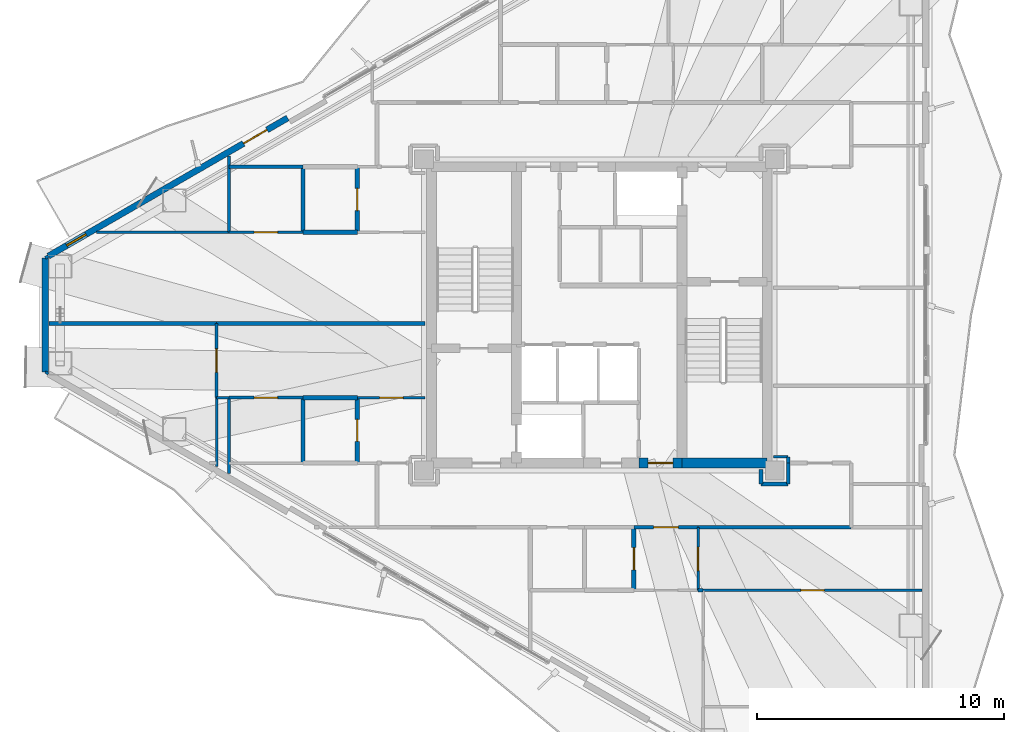
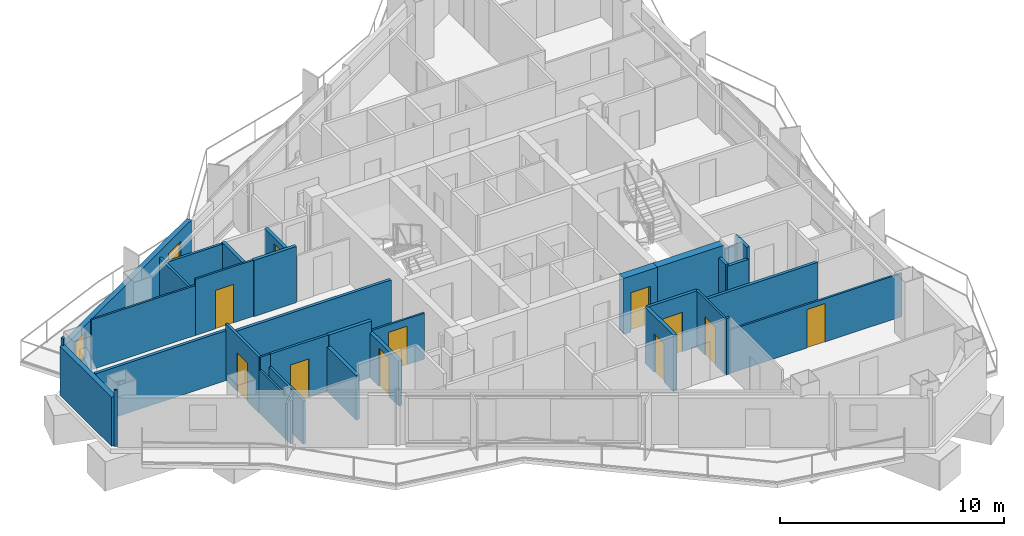
# One storey, part 15 of 21: 35 walls, 12 doors, 1 window, 13 openings.
"""IFC4 building model written with IfcOpenShell, lengths in metres."""

from ifc_helpers import new_model, si_unit, direction, frame, frame_2d, origin, place, context, subcontext, project, spatial, rectangle, extrude, material, layer, layer_set, type_object, element, fill, save


model = new_model("IFC4")

# Units and contexts
model_context = context("Model", 3, precision=1e-05, world=origin(), true_north=direction((0.0, 1.0)))
body_context = subcontext(model_context, "Body", "Model", "MODEL_VIEW")
ifc_project = project(units=[si_unit("LENGTHUNIT", "METRE"), si_unit("AREAUNIT", "SQUARE_METRE"), si_unit("VOLUMEUNIT", "CUBIC_METRE"), si_unit("PLANEANGLEUNIT", "RADIAN"), si_unit("MASSUNIT", "GRAM", prefix="KILO")], contexts=[model_context])

# Site, building, storey
site_placement = place(None, origin())
site = spatial("IfcSite", under=ifc_project, at=site_placement, CompositionType="ELEMENT")
building_placement = place(site_placement, origin())
building = spatial("IfcBuilding", under=site, at=building_placement, Name="Mersakhor Tower and Convention Hall", CompositionType="ELEMENT")
storey_placement = place(building_placement, frame((0.0, 0.0, 121.199951171875)))
storey = spatial("IfcBuildingStorey", under=building, at=storey_placement, Name="L33", CompositionType="ELEMENT", Elevation=121.199951171875)

# Wall
ifc_material_1 = material(Name="Precast concrete C40/50", Category="concrete")
ifc_layer_1 = layer(ifc_material_1, 0.25)
ifc_layer_set_1 = layer_set([ifc_layer_1], Name="Precast concrete C40/50")
wall_type_1 = type_object("IfcWallType", Name="WL-EXT-250", PredefinedType="SOLIDWALL", material=ifc_layer_set_1)
wall_1_placement = place(storey_placement, frame((6.560302734375, 24.44140625, 0.0), z_axis=(0.0, 0.0, 1.0), x_axis=(0.0, 1.0, 0.0)))
element("IfcWall", 1, at=wall_1_placement, inside=storey, type_object=wall_type_1, Name="L33 Chamfer Braced Spandrel Wall C3", PredefinedType="SOLIDWALL", context=body_context, shape_type="SweptSolid", body=[
    extrude(rectangle(XDim=4.6171875, YDim=0.25, at=frame_2d((2.30859375, 0.0))), origin(), (0.0, 0.0, 1.0), 2.679931640625),
])

# Wall, openings, door, window
wall_2_placement = place(storey_placement, frame((6.690185546875, 29.1337890625, 0.0), z_axis=(0.0, 0.0, 1.0), x_axis=(0.866027848477, 0.499995765644, 0.0)))
wall_2 = element("IfcWall", 2, at=wall_2_placement, inside=storey, type_object=wall_type_1, Name="L33 Exterior Facade Wall F1-B1", PredefinedType="SOLIDWALL", context=body_context, shape_type="SweptSolid", body=[
    extrude(rectangle(XDim=11.18603515625, YDim=0.25, at=frame_2d((5.593017578125, 0.0))), origin(), (0.0, 0.0, 1.0), 2.679931640625),
])
opening_1_placement = place(wall_2_placement, frame((9.1220703125, 0.0, 0.0)))
opening_1 = element("IfcOpeningElement", 3, at=opening_1_placement, cuts=wall_2, Name="Opening BD-02", PredefinedType="OPENING", context=body_context, shape_type="SweptSolid", body=[
    extrude(rectangle(XDim=1.10009765625, YDim=2.10009765625, at=frame_2d((0.550048828125, 1.050048828125))), frame((0.0, 0.135009765625, 0.0), z_axis=(0.0, -1.0, 0.0), x_axis=(1.0, 0.0, 0.0)), (0.0, 0.0, 1.0), 0.27001953125),
])
opening_2_placement = place(wall_2_placement, frame((0.860107421875, 0.0, 0.89990234375)))
opening_2 = element("IfcOpeningElement", 4, at=opening_2_placement, cuts=wall_2, Name="Opening W-06", PredefinedType="OPENING", context=body_context, shape_type="SweptSolid", body=[
    extrude(rectangle(XDim=0.89990234375, YDim=1.39990234375, at=frame_2d((0.449951171875, 0.699951171875))), frame((0.0, 0.135009765625, 0.0), z_axis=(0.0, -1.0, 0.0), x_axis=(1.0, 0.0, 0.0)), (0.0, 0.0, 1.0), 0.27001953125),
])
ifc_material_2 = material(Name="Thermally broken dark aluminium and safety glass", Category="aluminium")
door_type_1 = type_object("IfcDoorType", Name="DR-BAL-110x210", OperationType="NOTDEFINED", PredefinedType="DOOR", material=ifc_material_2)
door_1_placement = place(opening_1_placement, origin())
door_1 = element("IfcDoor", 5, at=door_1_placement, inside=storey, type_object=door_type_1, Name="L33 Balcony Terrace Door F1-B1", OperationType="SINGLE_SWING_RIGHT", OverallHeight=2.10009765625, OverallWidth=1.10009765625, PredefinedType="DOOR", context=body_context, shape_type="SweptSolid", body=[
    extrude(rectangle(XDim=1.10009765625, YDim=2.10009765625, at=frame_2d((0.550048828125, 1.050048828125))), frame((0.0, 0.02490234375, 0.0), z_axis=(0.0, -1.0, 0.0), x_axis=(1.0, 0.0, 0.0)), (0.0, 0.0, 1.0), 0.050048828125),
])
fill(opening_1, door_1)
ifc_material_3 = material(Name="Dark solar low-E glazed aluminium window", Category="aluminium")
window_type = type_object("IfcWindowType", Name="WN-STD-090x140", PartitioningType="SINGLE_PANEL", PredefinedType="WINDOW", material=ifc_material_3)
window_placement = place(opening_2_placement, origin())
window = element("IfcWindow", 6, at=window_placement, inside=storey, type_object=window_type, Name="L33 Bedroom Facade Window F1-B1-1", OverallHeight=1.39990234375, OverallWidth=0.89990234375, PartitioningType="SINGLE_PANEL", PredefinedType="WINDOW", context=body_context, shape_type="SweptSolid", body=[
    extrude(rectangle(XDim=0.89990234375, YDim=1.39990234375, at=frame_2d((0.449951171875, 0.699951171875))), frame((0.0, 0.030029296875, 0.0), z_axis=(0.0, -1.0, 0.0), x_axis=(1.0, 0.0, 0.0)), (0.0, 0.0, 1.0), 0.06005859375),
])
fill(opening_2, window)

# Wall, opening, door
ifc_material_4 = material(Name="Moisture-resistant acoustic drywall studwork", Category="other")
ifc_layer_2 = layer(ifc_material_4, 0.175048828125)
ifc_layer_set_2 = layer_set([ifc_layer_2], Name="Moisture-resistant acoustic drywall studwork")
wall_type_2 = type_object("IfcWallType", Name="WL-PLM-175", PredefinedType="PLUMBINGWALL", material=ifc_layer_set_2)
wall_3_placement = place(storey_placement, frame((30.39990234375, 15.60009765625, 0.0), z_axis=(0.0, 0.0, 1.0), x_axis=(0.0, 1.0, 0.0)))
wall_3 = element("IfcWall", 7, at=wall_3_placement, inside=storey, type_object=wall_type_2, Name="L33 Interior Partition Wall P-057", PredefinedType="PLUMBINGWALL", context=body_context, shape_type="SweptSolid", body=[
    extrude(rectangle(XDim=2.5498046875, YDim=0.175048828125, at=frame_2d((1.27490234375, 0.0))), origin(), (0.0, 0.0, 1.0), 3.06005859375),
])
opening_3_placement = place(wall_3_placement, frame((0.824951171875, 0.0, 0.0)))
opening_3 = element("IfcOpeningElement", 8, at=opening_3_placement, cuts=wall_3, Name="Opening WD-01", PredefinedType="OPENING", context=body_context, shape_type="SweptSolid", body=[
    extrude(rectangle(XDim=0.89990234375, YDim=2.10009765625, at=frame_2d((0.449951171875, 1.050048828125))), frame((0.0, 0.097412109375, 0.0), z_axis=(0.0, -1.0, 0.0), x_axis=(1.0, 0.0, 0.0)), (0.0, 0.0, 1.0), 0.195068359375),
])
ifc_material_5 = material(Name="Solid-core hardwood leaf in painted steel frame", Category="steel")
door_type_2 = type_object("IfcDoorType", Name="DR-INT-WET-090x210", OperationType="NOTDEFINED", PredefinedType="DOOR", material=ifc_material_5)
door_2_placement = place(opening_3_placement, origin())
door_2 = element("IfcDoor", 9, at=door_2_placement, inside=storey, type_object=door_type_2, Name="L33 L33 Flat S2 Apartment Hall to L33 Flat S2 Bathroom Door", OperationType="SINGLE_SWING_LEFT", OverallHeight=2.10009765625, OverallWidth=0.89990234375, PredefinedType="DOOR", context=body_context, shape_type="SweptSolid", body=[
    extrude(rectangle(XDim=0.89990234375, YDim=2.10009765625, at=frame_2d((0.449951171875, 1.050048828125))), frame((0.0, 0.02490234375, 0.0), z_axis=(0.0, -1.0, 0.0), x_axis=(1.0, 0.0, 0.0)), (0.0, 0.0, 1.0), 0.050048828125),
])
fill(opening_3, door_2)

wall_4_placement = place(storey_placement, frame((19.199951171875, 30.10009765625, 0.0), z_axis=(0.0, 0.0, 1.0), x_axis=(0.0, 1.0, 0.0)))
wall_4 = element("IfcWall", 10, at=wall_4_placement, inside=storey, type_object=wall_type_2, Name="L33 Interior Partition Wall P-061", PredefinedType="PLUMBINGWALL", context=body_context, shape_type="SweptSolid", body=[
    extrude(rectangle(XDim=2.64990234375, YDim=0.175048828125, at=frame_2d((1.324951171875, 0.0))), origin(), (0.0, 0.0, 1.0), 2.432861328125),
])
opening_4_placement = place(wall_4_placement, frame((0.875, 0.0, 0.0)))
opening_4 = element("IfcOpeningElement", 11, at=opening_4_placement, cuts=wall_4, Name="Opening WD-01", PredefinedType="OPENING", context=body_context, shape_type="SweptSolid", body=[
    extrude(rectangle(XDim=0.89990234375, YDim=2.10009765625, at=frame_2d((0.449951171875, 1.050048828125))), frame((0.0, 0.097412109375, 0.0), z_axis=(0.0, -1.0, 0.0), x_axis=(1.0, 0.0, 0.0)), (0.0, 0.0, 1.0), 0.195068359375),
])
door_3_placement = place(opening_4_placement, origin())
door_3 = element("IfcDoor", 12, at=door_3_placement, inside=storey, type_object=door_type_2, Name="L33 L33 Flat W3 Apartment Hall to L33 Flat W3 Bathroom Door", OperationType="SINGLE_SWING_RIGHT", OverallHeight=2.10009765625, OverallWidth=0.89990234375, PredefinedType="DOOR", context=body_context, shape_type="SweptSolid", body=[
    extrude(rectangle(XDim=0.89990234375, YDim=2.10009765625, at=frame_2d((0.449951171875, 1.050048828125))), frame((0.0, 0.02490234375, 0.0), z_axis=(0.0, -1.0, 0.0), x_axis=(1.0, 0.0, 0.0)), (0.0, 0.0, 1.0), 0.050048828125),
])
fill(opening_4, door_3)

wall_5_placement = place(storey_placement, frame((19.199951171875, 20.75, 0.0), z_axis=(0.0, 0.0, 1.0), x_axis=(0.0, 1.0, 0.0)))
wall_5 = element("IfcWall", 13, at=wall_5_placement, inside=storey, type_object=wall_type_2, Name="L33 Interior Partition Wall P-065", PredefinedType="PLUMBINGWALL", context=body_context, shape_type="SweptSolid", body=[
    extrude(rectangle(XDim=2.64990234375, YDim=0.175048828125, at=frame_2d((1.324951171875, 0.0))), origin(), (0.0, 0.0, 1.0), 2.432861328125),
])
opening_5_placement = place(wall_5_placement, frame((0.875, 0.0, 0.0)))
opening_5 = element("IfcOpeningElement", 14, at=opening_5_placement, cuts=wall_5, Name="Opening WD-01", PredefinedType="OPENING", context=body_context, shape_type="SweptSolid", body=[
    extrude(rectangle(XDim=0.89990234375, YDim=2.10009765625, at=frame_2d((0.449951171875, 1.050048828125))), frame((0.0, 0.097412109375, 0.0), z_axis=(0.0, -1.0, 0.0), x_axis=(1.0, 0.0, 0.0)), (0.0, 0.0, 1.0), 0.195068359375),
])
door_4_placement = place(opening_5_placement, origin())
door_4 = element("IfcDoor", 15, at=door_4_placement, inside=storey, type_object=door_type_2, Name="L33 L33 Flat W4 Apartment Hall to L33 Flat W4 Bathroom Door", OperationType="SINGLE_SWING_RIGHT", OverallHeight=2.10009765625, OverallWidth=0.89990234375, PredefinedType="DOOR", context=body_context, shape_type="SweptSolid", body=[
    extrude(rectangle(XDim=0.89990234375, YDim=2.10009765625, at=frame_2d((0.449951171875, 1.050048828125))), frame((0.0, 0.02490234375, 0.0), z_axis=(0.0, -1.0, 0.0), x_axis=(1.0, 0.0, 0.0)), (0.0, 0.0, 1.0), 0.050048828125),
])
fill(opening_5, door_4)

# Walls
wall_6_placement = place(storey_placement, frame((19.199951171875, 30.10009765625, 0.0), z_axis=(0.0, 0.0, 1.0), x_axis=(-1.0, 0.0, 0.0)))
element("IfcWall", 16, at=wall_6_placement, inside=storey, type_object=wall_type_2, Name="L33 Interior Partition Wall P-083", PredefinedType="PLUMBINGWALL", context=body_context, shape_type="SweptSolid", body=[
    extrude(rectangle(XDim=2.199951171875, YDim=0.175048828125, at=frame_2d((1.10009765625, 0.0))), origin(), (0.0, 0.0, 1.0), 3.06005859375),
])
wall_7_placement = place(storey_placement, frame((17.0, 30.10009765625, 0.0), z_axis=(0.0, 0.0, 1.0), x_axis=(0.0, 1.0, 0.0)))
element("IfcWall", 17, at=wall_7_placement, inside=storey, type_object=wall_type_2, Name="L33 Interior Partition Wall P-084", PredefinedType="PLUMBINGWALL", context=body_context, shape_type="SweptSolid", body=[
    extrude(rectangle(XDim=2.64990234375, YDim=0.175048828125, at=frame_2d((1.324951171875, 0.0))), origin(), (0.0, 0.0, 1.0), 2.432861328125),
])
wall_8_placement = place(storey_placement, frame((17.0, 23.39990234375, 0.0), z_axis=(0.0, 0.0, 1.0), x_axis=(1.0, 0.0, 0.0)))
element("IfcWall", 18, at=wall_8_placement, inside=storey, type_object=wall_type_2, Name="L33 Interior Partition Wall P-088", PredefinedType="PLUMBINGWALL", context=body_context, shape_type="SweptSolid", body=[
    extrude(rectangle(XDim=2.199951171875, YDim=0.175048828125, at=frame_2d((1.10009765625, 0.0))), origin(), (0.0, 0.0, 1.0), 3.06005859375),
])
wall_9_placement = place(storey_placement, frame((17.0, 20.75, 0.0), z_axis=(0.0, 0.0, 1.0), x_axis=(0.0, 1.0, 0.0)))
element("IfcWall", 19, at=wall_9_placement, inside=storey, type_object=wall_type_2, Name="L33 Interior Partition Wall P-090", PredefinedType="PLUMBINGWALL", context=body_context, shape_type="SweptSolid", body=[
    extrude(rectangle(XDim=2.64990234375, YDim=0.175048828125, at=frame_2d((1.324951171875, 0.0))), origin(), (0.0, 0.0, 1.0), 2.432861328125),
])

# Wall, opening, door
ifc_material_6 = material(Name="Lightweight gypsum partition", Category="other")
ifc_layer_3 = layer(ifc_material_6, 0.10009765625)
ifc_layer_set_3 = layer_set([ifc_layer_3], Name="Lightweight gypsum partition")
wall_type_3 = type_object("IfcWallType", Name="WL-PRT-100", PredefinedType="PARTITIONING", material=ifc_layer_set_3)
wall_10_placement = place(storey_placement, frame((33.0, 18.14990234375, 0.0), z_axis=(0.0, 0.0, 1.0), x_axis=(0.0, -1.0, 0.0)))
wall_10 = element("IfcWall", 20, at=wall_10_placement, inside=storey, type_object=wall_type_3, Name="L33 Interior Partition Wall P-058", PredefinedType="PARTITIONING", context=body_context, shape_type="SweptSolid", body=[
    extrude(rectangle(XDim=2.5498046875, YDim=0.10009765625, at=frame_2d((1.27490234375, 0.0))), origin(), (0.0, 0.0, 1.0), 3.06005859375),
])
opening_6_placement = place(wall_10_placement, frame((0.800048828125, 0.0, 0.0)))
opening_6 = element("IfcOpeningElement", 21, at=opening_6_placement, cuts=wall_10, Name="Opening RD-01", PredefinedType="OPENING", context=body_context, shape_type="SweptSolid", body=[
    extrude(rectangle(XDim=0.949951171875, YDim=2.10009765625, at=frame_2d((0.47509765625, 1.050048828125))), frame((0.0, 0.06005859375, 0.0), z_axis=(0.0, -1.0, 0.0), x_axis=(1.0, 0.0, 0.0)), (0.0, 0.0, 1.0), 0.1201171875),
])
ifc_material_7 = material(Name="Solid-core hardwood leaf in painted steel frame", Category="steel")
door_type_3 = type_object("IfcDoorType", Name="DR-INT-RM-095x210", OperationType="NOTDEFINED", PredefinedType="DOOR", material=ifc_material_7)
door_5_placement = place(opening_6_placement, origin())
door_5 = element("IfcDoor", 22, at=door_5_placement, inside=storey, type_object=door_type_3, Name="L33 L33 Flat S2 Apartment Hall to L33 Flat S2 Kitchen Door", OperationType="SINGLE_SWING_RIGHT", OverallHeight=2.10009765625, OverallWidth=0.949951171875, PredefinedType="DOOR", context=body_context, shape_type="SweptSolid", body=[
    extrude(rectangle(XDim=0.949951171875, YDim=2.10009765625, at=frame_2d((0.47509765625, 1.050048828125))), frame((0.0, 0.02490234375, 0.0), z_axis=(0.0, -1.0, 0.0), x_axis=(1.0, 0.0, 0.0)), (0.0, 0.0, 1.0), 0.050048828125),
])
fill(opening_6, door_5)

wall_11_placement = place(storey_placement, frame((19.199951171875, 23.39990234375, 0.0), z_axis=(0.0, 0.0, 1.0), x_axis=(1.0, 0.0, 0.0)))
wall_11 = element("IfcWall", 23, at=wall_11_placement, inside=storey, type_object=wall_type_3, Name="L33 Interior Partition Wall P-066", PredefinedType="PARTITIONING", context=body_context, shape_type="SweptSolid", body=[
    extrude(rectangle(XDim=2.75, YDim=0.10009765625, at=frame_2d((1.375, 0.0))), origin(), (0.0, 0.0, 1.0), 2.50830078125),
])
opening_7_placement = place(wall_11_placement, frame((0.89990234375, 0.0, 0.0)))
opening_7 = element("IfcOpeningElement", 24, at=opening_7_placement, cuts=wall_11, Name="Opening RD-01", PredefinedType="OPENING", context=body_context, shape_type="SweptSolid", body=[
    extrude(rectangle(XDim=0.949951171875, YDim=2.10009765625, at=frame_2d((0.47509765625, 1.050048828125))), frame((0.0, 0.06005859375, 0.0), z_axis=(0.0, -1.0, 0.0), x_axis=(1.0, 0.0, 0.0)), (0.0, 0.0, 1.0), 0.1201171875),
])
door_6_placement = place(opening_7_placement, origin())
door_6 = element("IfcDoor", 25, at=door_6_placement, inside=storey, type_object=door_type_3, Name="L33 L33 Flat W4 Apartment Hall to L33 Flat W4 Living and Dining Room Door", OperationType="SINGLE_SWING_LEFT", OverallHeight=2.10009765625, OverallWidth=0.949951171875, PredefinedType="DOOR", context=body_context, shape_type="SweptSolid", body=[
    extrude(rectangle(XDim=0.949951171875, YDim=2.10009765625, at=frame_2d((0.47509765625, 1.050048828125))), frame((0.0, 0.02490234375, 0.0), z_axis=(0.0, -1.0, 0.0), x_axis=(1.0, 0.0, 0.0)), (0.0, 0.0, 1.0), 0.050048828125),
])
fill(opening_7, door_6)

wall_12_placement = place(storey_placement, frame((42.0703125, 15.60009765625, 0.0), z_axis=(0.0, 0.0, 1.0), x_axis=(-1.0, 0.0, 0.0)))
wall_12 = element("IfcWall", 26, at=wall_12_placement, inside=storey, type_object=wall_type_3, Name="L33 Interior Partition Wall P-080", PredefinedType="PARTITIONING", context=body_context, shape_type="SweptSolid", body=[
    extrude(rectangle(XDim=8.870361328125, YDim=0.10009765625, at=frame_2d((4.43505859375, 0.0))), origin(), (0.0, 0.0, 1.0), 2.364990234375),
])
opening_8_placement = place(wall_12_placement, frame((3.960205078125, 0.0, 0.0)))
opening_8 = element("IfcOpeningElement", 27, at=opening_8_placement, cuts=wall_12, Name="Opening RD-01", PredefinedType="OPENING", context=body_context, shape_type="SweptSolid", body=[
    extrude(rectangle(XDim=0.949951171875, YDim=2.10009765625, at=frame_2d((0.47509765625, 1.050048828125))), frame((0.0, 0.06005859375, 0.0), z_axis=(0.0, -1.0, 0.0), x_axis=(1.0, 0.0, 0.0)), (0.0, 0.0, 1.0), 0.1201171875),
])
door_7_placement = place(opening_8_placement, origin())
door_7 = element("IfcDoor", 28, at=door_7_placement, inside=storey, type_object=door_type_3, Name="L33 L33 Flat S2 Kitchen to L33 Flat S2 Dining Room Door", OperationType="SINGLE_SWING_RIGHT", OverallHeight=2.10009765625, OverallWidth=0.949951171875, PredefinedType="DOOR", context=body_context, shape_type="SweptSolid", body=[
    extrude(rectangle(XDim=0.949951171875, YDim=2.10009765625, at=frame_2d((0.47509765625, 1.050048828125))), frame((0.0, 0.02490234375, 0.0), z_axis=(0.0, -1.0, 0.0), x_axis=(1.0, 0.0, 0.0)), (0.0, 0.0, 1.0), 0.050048828125),
])
fill(opening_8, door_7)

wall_13_placement = place(storey_placement, frame((17.0, 30.10009765625, 0.0), z_axis=(0.0, 0.0, 1.0), x_axis=(-1.0, 0.0, 0.0)))
wall_13 = element("IfcWall", 29, at=wall_13_placement, inside=storey, type_object=wall_type_3, Name="L33 Interior Partition Wall P-086", PredefinedType="PARTITIONING", context=body_context, shape_type="SweptSolid", body=[
    extrude(rectangle(XDim=3.0, YDim=0.10009765625, at=frame_2d((1.5, 0.0))), origin(), (0.0, 0.0, 1.0), 3.06005859375),
])
opening_9_placement = place(wall_13_placement, frame((1.02490234375, 0.0, 0.0)))
opening_9 = element("IfcOpeningElement", 30, at=opening_9_placement, cuts=wall_13, Name="Opening RD-01", PredefinedType="OPENING", context=body_context, shape_type="SweptSolid", body=[
    extrude(rectangle(XDim=0.949951171875, YDim=2.10009765625, at=frame_2d((0.47509765625, 1.050048828125))), frame((0.0, 0.06005859375, 0.0), z_axis=(0.0, -1.0, 0.0), x_axis=(1.0, 0.0, 0.0)), (0.0, 0.0, 1.0), 0.1201171875),
])
door_8_placement = place(opening_9_placement, origin())
door_8 = element("IfcDoor", 31, at=door_8_placement, inside=storey, type_object=door_type_3, Name="L33 L33 Flat W3 Kitchen to L33 Flat W3 Studio Living and Sleeping Room Door", OperationType="SINGLE_SWING_LEFT", OverallHeight=2.10009765625, OverallWidth=0.949951171875, PredefinedType="DOOR", context=body_context, shape_type="SweptSolid", body=[
    extrude(rectangle(XDim=0.949951171875, YDim=2.10009765625, at=frame_2d((0.47509765625, 1.050048828125))), frame((0.0, 0.02490234375, 0.0), z_axis=(0.0, -1.0, 0.0), x_axis=(1.0, 0.0, 0.0)), (0.0, 0.0, 1.0), 0.050048828125),
])
fill(opening_9, door_8)

# Walls
wall_14_placement = place(storey_placement, frame((36.64990234375, 21.0, 0.0), z_axis=(0.0, 0.0, 1.0), x_axis=(-1.0, 0.0, 0.0)))
element("IfcWall", 32, at=wall_14_placement, inside=storey, type_object=wall_type_3, Name="L33 Interior Partition Wall P-106", PredefinedType="PARTITIONING", context=body_context, shape_type="SweptSolid", body=[
    extrude(rectangle(XDim=0.599853515625, YDim=0.10009765625, at=frame_2d((0.2998046875, 0.0))), origin(), (0.0, 0.0, 1.0), 2.50830078125),
])
wall_15_placement = place(storey_placement, frame((8.634765625, 30.10009765625, 0.0), z_axis=(0.0, 0.0, 1.0), x_axis=(1.0, 0.0, 0.0)))
element("IfcWall", 33, at=wall_15_placement, inside=storey, type_object=wall_type_3, Name="L33 Interior Partition Wall P-122", PredefinedType="PARTITIONING", context=body_context, shape_type="SweptSolid", body=[
    extrude(rectangle(XDim=5.365234375, YDim=0.10009765625, at=frame_2d((2.6826171875, 0.0))), origin(), (0.0, 0.0, 1.0), 2.724609375),
])
wall_16_placement = place(storey_placement, frame((14.0, 23.39990234375, 0.0), z_axis=(0.0, 0.0, 1.0), x_axis=(-1.0, 0.0, 0.0)))
element("IfcWall", 34, at=wall_16_placement, inside=storey, type_object=wall_type_3, Name="L33 Interior Partition Wall P-126", PredefinedType="PARTITIONING", context=body_context, shape_type="SweptSolid", body=[
    extrude(rectangle(XDim=0.5, YDim=0.10009765625, at=frame_2d((0.25, 0.0))), origin(), (0.0, 0.0, 1.0), 3.06005859375),
])
wall_17_placement = place(storey_placement, frame((13.5, 23.39990234375, 0.0), z_axis=(0.0, 0.0, 1.0), x_axis=(0.0, -1.0, 0.0)))
element("IfcWall", 35, at=wall_17_placement, inside=storey, type_object=wall_type_3, Name="L33 Interior Partition Wall P-128", PredefinedType="PARTITIONING", context=body_context, shape_type="SweptSolid", body=[
    extrude(rectangle(XDim=2.793212890625, YDim=0.10009765625, at=frame_2d((1.396484375, 0.0))), origin(), (0.0, 0.0, 1.0), 2.364990234375),
])
wall_18_placement = place(storey_placement, frame((6.68994140625, 24.365966796875, 0.0), z_axis=(0.0, 0.0, 1.0), x_axis=(-0.866131372301, 0.499816412211, 0.0)))
element("IfcWall", 36, at=wall_18_placement, inside=storey, type_object=wall_type_3, Name="L33 Interior Partition Wall P-130", PredefinedType="PARTITIONING", context=body_context, shape_type="SweptSolid", body=[
    extrude(rectangle(XDim=0.14990234375, YDim=0.10009765625, at=frame_2d((0.074951171875, 0.0))), origin(), (0.0, 0.0, 1.0), 3.06005859375),
])
ifc_material_8 = material(Name="Gypsum board acoustic partition", Category="other")
ifc_layer_4 = layer(ifc_material_8, 0.125)
ifc_layer_set_4 = layer_set([ifc_layer_4], Name="Gypsum board acoustic partition")
wall_type_4 = type_object("IfcWallType", Name="WL-PRT-125", PredefinedType="PARTITIONING", material=ifc_layer_set_4)
wall_19_placement = place(storey_placement, frame((33.199951171875, 15.60009765625, 0.0), z_axis=(0.0, 0.0, 1.0), x_axis=(-1.0, 0.0, 0.0)))
element("IfcWall", 37, at=wall_19_placement, inside=storey, type_object=wall_type_4, Name="L33 Interior Partition Wall P-081", PredefinedType="PARTITIONING", context=body_context, shape_type="SweptSolid", body=[
    extrude(rectangle(XDim=0.199951171875, YDim=0.125, at=frame_2d((0.10009765625, 0.0))), origin(), (0.0, 0.0, 1.0), 3.06005859375),
])
wall_20_placement = place(storey_placement, frame((14.0, 32.75, 0.0), z_axis=(0.0, 0.0, 1.0), x_axis=(1.0, 0.0, 0.0)))
element("IfcWall", 38, at=wall_20_placement, inside=storey, type_object=wall_type_4, Name="L33 Interior Partition Wall P-085", PredefinedType="PARTITIONING", context=body_context, shape_type="SweptSolid", body=[
    extrude(rectangle(XDim=3.0, YDim=0.125, at=frame_2d((1.5, 0.0))), origin(), (0.0, 0.0, 1.0), 2.364990234375),
])
wall_21_placement = place(storey_placement, frame((14.0, 30.10009765625, 0.0), z_axis=(0.0, 0.0, 1.0), x_axis=(0.0, 1.0, 0.0)))
element("IfcWall", 39, at=wall_21_placement, inside=storey, type_object=wall_type_4, Name="L33 Interior Partition Wall P-087", PredefinedType="PARTITIONING", context=body_context, shape_type="SweptSolid", body=[
    extrude(rectangle(XDim=3.081787109375, YDim=0.125, at=frame_2d((1.541015625, 0.0))), origin(), (0.0, 0.0, 1.0), 2.364990234375),
])

# Wall, opening, door
wall_22_placement = place(storey_placement, frame((14.0, 23.39990234375, 0.0), z_axis=(0.0, 0.0, 1.0), x_axis=(1.0, 0.0, 0.0)))
wall_22 = element("IfcWall", 40, at=wall_22_placement, inside=storey, type_object=wall_type_4, Name="L33 Interior Partition Wall P-091", PredefinedType="PARTITIONING", context=body_context, shape_type="SweptSolid", body=[
    extrude(rectangle(XDim=3.0, YDim=0.125, at=frame_2d((1.5, 0.0))), origin(), (0.0, 0.0, 1.0), 3.06005859375),
])
opening_10_placement = place(wall_22_placement, frame((1.02490234375, 0.0, 0.0)))
opening_10 = element("IfcOpeningElement", 41, at=opening_10_placement, cuts=wall_22, Name="Opening RD-01", PredefinedType="OPENING", context=body_context, shape_type="SweptSolid", body=[
    extrude(rectangle(XDim=0.949951171875, YDim=2.10009765625, at=frame_2d((0.47509765625, 1.050048828125))), frame((0.0, 0.072509765625, 0.0), z_axis=(0.0, -1.0, 0.0), x_axis=(1.0, 0.0, 0.0)), (0.0, 0.0, 1.0), 0.14501953125),
])
door_9_placement = place(opening_10_placement, origin())
door_9 = element("IfcDoor", 42, at=door_9_placement, inside=storey, type_object=door_type_3, Name="L33 L33 Flat W4 Kitchen to L33 Flat W4 Living and Dining Room Door", OperationType="SINGLE_SWING_RIGHT", OverallHeight=2.10009765625, OverallWidth=0.949951171875, PredefinedType="DOOR", context=body_context, shape_type="SweptSolid", body=[
    extrude(rectangle(XDim=0.949951171875, YDim=2.10009765625, at=frame_2d((0.47509765625, 1.050048828125))), frame((0.0, 0.02490234375, 0.0), z_axis=(0.0, -1.0, 0.0), x_axis=(1.0, 0.0, 0.0)), (0.0, 0.0, 1.0), 0.050048828125),
])
fill(opening_10, door_9)

# Walls
wall_23_placement = place(storey_placement, frame((14.0, 20.318115234375, 0.0), z_axis=(0.0, 0.0, 1.0), x_axis=(0.0, 1.0, 0.0)))
element("IfcWall", 43, at=wall_23_placement, inside=storey, type_object=wall_type_4, Name="L33 Interior Partition Wall P-093", PredefinedType="PARTITIONING", context=body_context, shape_type="SweptSolid", body=[
    extrude(rectangle(XDim=3.081787109375, YDim=0.125, at=frame_2d((1.541015625, 0.0))), origin(), (0.0, 0.0, 1.0), 2.364990234375),
])
wall_24_placement = place(storey_placement, frame((36.64990234375, 20.75, 0.0), z_axis=(0.0, 0.0, 1.0), x_axis=(0.0, 1.0, 0.0)))
element("IfcWall", 44, at=wall_24_placement, inside=storey, type_object=wall_type_4, Name="L33 Interior Partition Wall P-105", PredefinedType="PARTITIONING", context=body_context, shape_type="SweptSolid", body=[
    extrude(rectangle(XDim=0.25, YDim=0.125, at=frame_2d((0.125, 0.0))), origin(), (0.0, 0.0, 1.0), 3.06005859375),
])
wall_25_placement = place(storey_placement, frame((6.56005859375, 29.05908203125, 0.0), z_axis=(0.0, 0.0, 1.0), x_axis=(0.866131372301, 0.499816412211, 0.0)))
element("IfcWall", 45, at=wall_25_placement, inside=storey, type_object=wall_type_4, Name="L33 Interior Partition Wall P-125", PredefinedType="PARTITIONING", context=body_context, shape_type="SweptSolid", body=[
    extrude(rectangle(XDim=0.14990234375, YDim=0.125, at=frame_2d((0.074951171875, 0.0))), origin(), (0.0, 0.0, 1.0), 3.06005859375),
])

# Wall, opening, door
wall_26_placement = place(storey_placement, frame((13.5, 23.39990234375, 0.0), z_axis=(0.0, 0.0, 1.0), x_axis=(0.0, 1.0, 0.0)))
wall_26 = element("IfcWall", 46, at=wall_26_placement, inside=storey, type_object=wall_type_4, Name="L33 Interior Partition Wall P-127", PredefinedType="PARTITIONING", context=body_context, shape_type="SweptSolid", body=[
    extrude(rectangle(XDim=3.0, YDim=0.125, at=frame_2d((1.5, 0.0))), origin(), (0.0, 0.0, 1.0), 3.06005859375),
])
opening_11_placement = place(wall_26_placement, frame((1.02490234375, 0.0, 0.0)))
opening_11 = element("IfcOpeningElement", 47, at=opening_11_placement, cuts=wall_26, Name="Opening RD-01", PredefinedType="OPENING", context=body_context, shape_type="SweptSolid", body=[
    extrude(rectangle(XDim=0.949951171875, YDim=2.10009765625, at=frame_2d((0.47509765625, 1.050048828125))), frame((0.0, 0.072509765625, 0.0), z_axis=(0.0, -1.0, 0.0), x_axis=(1.0, 0.0, 0.0)), (0.0, 0.0, 1.0), 0.14501953125),
])
door_10_placement = place(opening_11_placement, origin())
door_10 = element("IfcDoor", 48, at=door_10_placement, inside=storey, type_object=door_type_3, Name="L33 L33 Flat W4 Living and Dining Room to L33 Flat W4 Bedroom 1 Door", OperationType="SINGLE_SWING_LEFT", OverallHeight=2.10009765625, OverallWidth=0.949951171875, PredefinedType="DOOR", context=body_context, shape_type="SweptSolid", body=[
    extrude(rectangle(XDim=0.949951171875, YDim=2.10009765625, at=frame_2d((0.47509765625, 1.050048828125))), frame((0.0, 0.02490234375, 0.0), z_axis=(0.0, -1.0, 0.0), x_axis=(1.0, 0.0, 0.0)), (0.0, 0.0, 1.0), 0.050048828125),
])
fill(opening_11, door_10)

# Walls
ifc_material_9 = material(Name="Fire-rated gypsum board stud partition", Category="other")
ifc_layer_5 = layer(ifc_material_9, 0.14990234375)
ifc_layer_set_5 = layer_set([ifc_layer_5], Name="Fire-rated gypsum board stud partition")
wall_type_5 = type_object("IfcWallType", Name="WL-PRT-150", PredefinedType="PARTITIONING", material=ifc_layer_set_5)
wall_27_placement = place(storey_placement, frame((35.550048828125, 20.5, 0.0), z_axis=(0.0, 0.0, 1.0), x_axis=(0.0, -1.0, 0.0)))
element("IfcWall", 49, at=wall_27_placement, inside=storey, type_object=wall_type_5, Name="L33 Interior Partition Wall P-037", PredefinedType="PARTITIONING", context=body_context, shape_type="SweptSolid", body=[
    extrude(rectangle(XDim=0.60009765625, YDim=0.14990234375, at=frame_2d((0.300048828125, 0.0))), origin(), (0.0, 0.0, 1.0), 2.50830078125),
])
wall_28_placement = place(storey_placement, frame((35.550048828125, 19.89990234375, 0.0), z_axis=(0.0, 0.0, 1.0), x_axis=(1.0, 0.0, 0.0)))
element("IfcWall", 50, at=wall_28_placement, inside=storey, type_object=wall_type_5, Name="L33 Interior Partition Wall P-038", PredefinedType="PARTITIONING", context=body_context, shape_type="SweptSolid", body=[
    extrude(rectangle(XDim=1.099853515625, YDim=0.14990234375, at=frame_2d((0.5498046875, 0.0))), origin(), (0.0, 0.0, 1.0), 2.432861328125),
])
wall_29_placement = place(storey_placement, frame((36.64990234375, 19.89990234375, 0.0), z_axis=(0.0, 0.0, 1.0), x_axis=(0.0, 1.0, 0.0)))
element("IfcWall", 51, at=wall_29_placement, inside=storey, type_object=wall_type_5, Name="L33 Interior Partition Wall P-039", PredefinedType="PARTITIONING", context=body_context, shape_type="SweptSolid", body=[
    extrude(rectangle(XDim=0.85009765625, YDim=0.14990234375, at=frame_2d((0.425048828125, 0.0))), origin(), (0.0, 0.0, 1.0), 3.06005859375),
])
wall_30_placement = place(storey_placement, frame((39.199951171875, 18.14990234375, 0.0), z_axis=(0.0, 0.0, 1.0), x_axis=(-1.0, 0.0, 0.0)))
element("IfcWall", 52, at=wall_30_placement, inside=storey, type_object=wall_type_5, Name="L33 Interior Partition Wall P-043", PredefinedType="PARTITIONING", context=body_context, shape_type="SweptSolid", body=[
    extrude(rectangle(XDim=6.199951171875, YDim=0.14990234375, at=frame_2d((3.10009765625, 0.0))), origin(), (0.0, 0.0, 1.0), 2.432861328125),
])

# Wall, opening, door
wall_31_placement = place(storey_placement, frame((33.0, 18.14990234375, 0.0), z_axis=(0.0, 0.0, 1.0), x_axis=(-1.0, 0.0, 0.0)))
wall_31 = element("IfcWall", 53, at=wall_31_placement, inside=storey, type_object=wall_type_5, Name="L33 Interior Partition Wall P-044", PredefinedType="PARTITIONING", context=body_context, shape_type="SweptSolid", body=[
    extrude(rectangle(XDim=2.60009765625, YDim=0.14990234375, at=frame_2d((1.300048828125, 0.0))), origin(), (0.0, 0.0, 1.0), 3.06005859375),
])
opening_12_placement = place(wall_31_placement, frame((0.800048828125, 0.0, 0.0)))
opening_12 = element("IfcOpeningElement", 54, at=opening_12_placement, cuts=wall_31, Name="Opening FD-01", PredefinedType="OPENING", context=body_context, shape_type="SweptSolid", body=[
    extrude(rectangle(XDim=1.0, YDim=2.14990234375, at=frame_2d((0.5, 1.074951171875))), frame((0.0, 0.0849609375, 0.0), z_axis=(0.0, -1.0, 0.0), x_axis=(1.0, 0.0, 0.0)), (0.0, 0.0, 1.0), 0.169921875),
])
ifc_material_10 = material(Name="Fire-rated hardwood leaf and painted steel frame", Category="steel")
door_type_4 = type_object("IfcDoorType", Name="DR-INT-FLT-100x215", OperationType="NOTDEFINED", PredefinedType="DOOR", material=ifc_material_10)
door_11_placement = place(opening_12_placement, origin())
door_11 = element("IfcDoor", 55, at=door_11_placement, inside=storey, type_object=door_type_4, Name="L33 Apartment Entrance Door (Residential South Gallery Corridor to L33 Flat S2 Apartment Hall)", OperationType="SINGLE_SWING_RIGHT", OverallHeight=2.14990234375, OverallWidth=1.0, PredefinedType="DOOR", context=body_context, shape_type="SweptSolid", body=[
    extrude(rectangle(XDim=1.0, YDim=2.14990234375, at=frame_2d((0.5, 1.074951171875))), frame((0.0, 0.02490234375, 0.0), z_axis=(0.0, -1.0, 0.0), x_axis=(1.0, 0.0, 0.0)), (0.0, 0.0, 1.0), 0.050048828125),
])
fill(opening_12, door_11)

# Walls
wall_32_placement = place(storey_placement, frame((21.949951171875, 26.39990234375, 0.0), z_axis=(0.0, 0.0, 1.0), x_axis=(-1.0, 0.0, 0.0)))
element("IfcWall", 56, at=wall_32_placement, inside=storey, type_object=wall_type_5, Name="L33 Interior Partition Wall P-123", PredefinedType="PARTITIONING", context=body_context, shape_type="SweptSolid", body=[
    extrude(rectangle(XDim=8.449951171875, YDim=0.14990234375, at=frame_2d((4.22509765625, 0.0))), origin(), (0.0, 0.0, 1.0), 2.50830078125),
])
wall_33_placement = place(storey_placement, frame((13.5, 26.39990234375, 0.0), z_axis=(0.0, 0.0, 1.0), x_axis=(-1.0, 0.0, 0.0)))
element("IfcWall", 57, at=wall_33_placement, inside=storey, type_object=wall_type_5, Name="L33 Interior Partition Wall P-124", PredefinedType="PARTITIONING", context=body_context, shape_type="SweptSolid", body=[
    extrude(rectangle(XDim=6.790771484375, YDim=0.14990234375, at=frame_2d((3.3955078125, 0.0))), origin(), (0.0, 0.0, 1.0), 2.724609375),
])
ifc_material_11 = material(Name="Concrete C60/75", Category="concrete")
ifc_layer_6 = layer(ifc_material_11, 0.39990234375)
ifc_layer_set_6 = layer_set([ifc_layer_6], Name="Concrete C60/75")
wall_type_6 = type_object("IfcWallType", Name="WL-SHR-400", PredefinedType="SHEAR", material=ifc_layer_set_6)
wall_34_placement = place(storey_placement, frame((35.800048828125, 20.75, 0.0), z_axis=(0.0, 0.0, 1.0), x_axis=(-1.0, 0.0, 0.0)))
element("IfcWall", 58, at=wall_34_placement, inside=storey, type_object=wall_type_6, Name="L33 Core Wall CW-S1", PredefinedType="SHEAR", context=body_context, shape_type="SweptSolid", body=[
    extrude(rectangle(XDim=3.449951171875, YDim=0.39990234375, at=frame_2d((1.72509765625, 0.0))), origin(), (0.0, 0.0, 1.0), 3.06005859375),
])

# Wall, opening, door
wall_35_placement = place(storey_placement, frame((32.35009765625, 20.75, 0.0), z_axis=(0.0, 0.0, 1.0), x_axis=(-1.0, 0.0, 0.0)))
wall_35 = element("IfcWall", 59, at=wall_35_placement, inside=storey, type_object=wall_type_6, Name="L33 Core Wall CW-S2A", PredefinedType="SHEAR", context=body_context, shape_type="SweptSolid", body=[
    extrude(rectangle(XDim=1.75, YDim=0.39990234375, at=frame_2d((0.875, 0.0))), origin(), (0.0, 0.0, 1.0), 3.06005859375),
])
opening_13_placement = place(wall_35_placement, frame((0.375, 0.0, 0.0)))
opening_13 = element("IfcOpeningElement", 60, at=opening_13_placement, cuts=wall_35, Name="Opening CFD-01", PredefinedType="OPENING", context=body_context, shape_type="SweptSolid", body=[
    extrude(rectangle(XDim=1.0, YDim=2.14990234375, at=frame_2d((0.5, 1.074951171875))), frame((0.0, 0.2099609375, 0.0), z_axis=(0.0, -1.0, 0.0), x_axis=(1.0, 0.0, 0.0)), (0.0, 0.0, 1.0), 0.419921875),
])
ifc_material_12 = material(Name="Fire-rated hardwood leaf and painted steel frame", Category="steel")
door_type_5 = type_object("IfcDoorType", Name="DR-CORE-FD-100x215", OperationType="NOTDEFINED", PredefinedType="DOOR", material=ifc_material_12)
door_12_placement = place(opening_13_placement, origin())
door_12 = element("IfcDoor", 61, at=door_12_placement, inside=storey, type_object=door_type_5, Name="L33 Lift Lobby South Corridor Door", OperationType="SINGLE_SWING_RIGHT", OverallHeight=2.14990234375, OverallWidth=1.0, PredefinedType="DOOR", context=body_context, shape_type="SweptSolid", body=[
    extrude(rectangle(XDim=1.0, YDim=2.14990234375, at=frame_2d((0.5, 1.074951171875))), frame((0.0, 0.02490234375, 0.0), z_axis=(0.0, -1.0, 0.0), x_axis=(1.0, 0.0, 0.0)), (0.0, 0.0, 1.0), 0.050048828125),
])
fill(opening_13, door_12)

save(model, "model.ifc")
